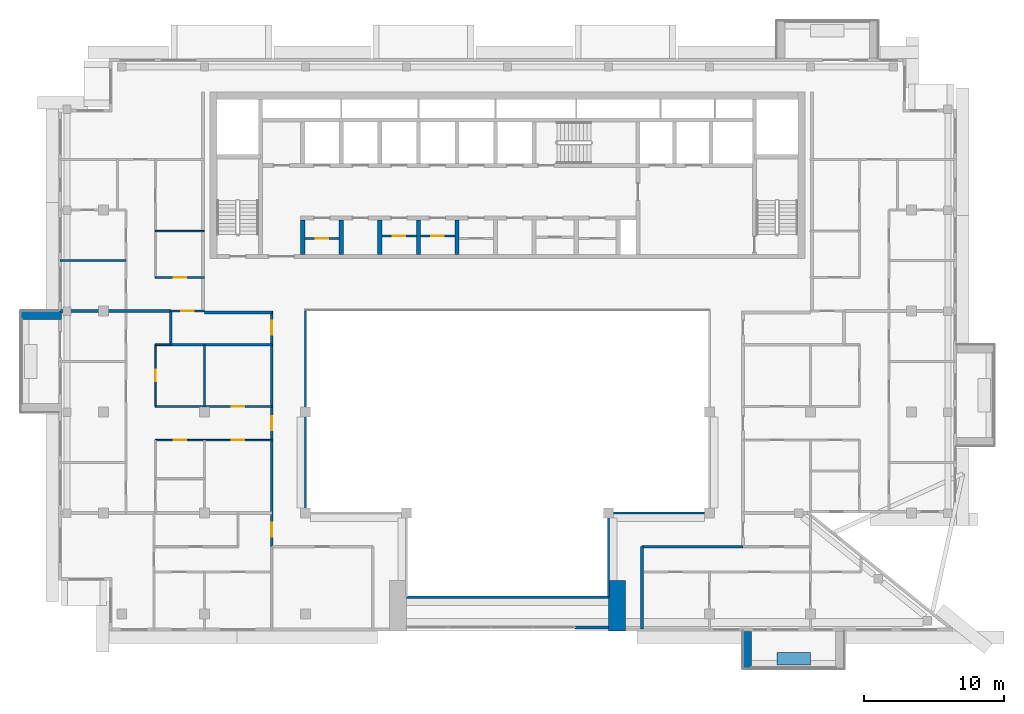
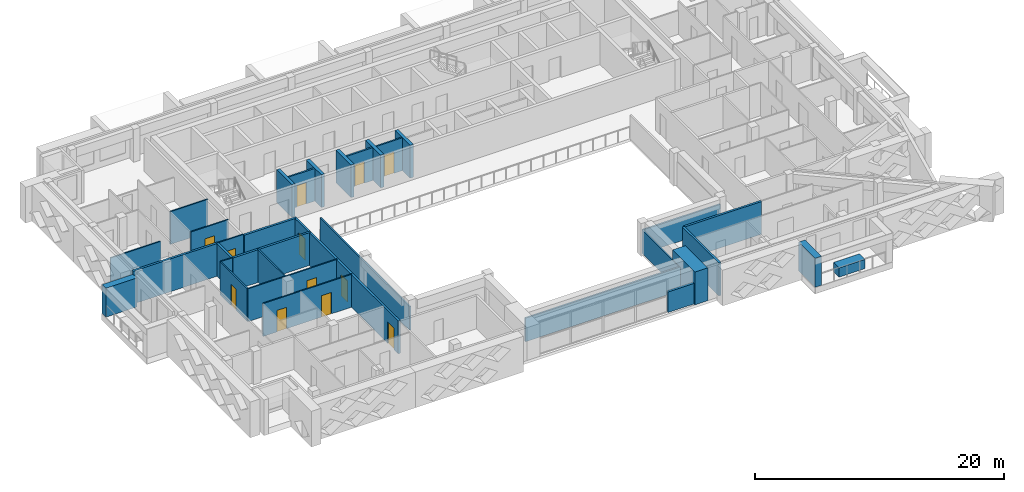
# One storey, part 7 of 19: 33 walls, 12 doors, 12 openings.
"""IFC4 building model written with IfcOpenShell, lengths in metres."""

from ifc_helpers import new_model, si_unit, direction, frame, frame_2d, origin, place, context, subcontext, project, spatial, rectangle, extrude, material, layer, layer_set, type_object, element, fill, save


model = new_model("IFC4")

# Units and contexts
model_context = context("Model", 3, precision=1e-05, world=origin(), true_north=direction((0.0, 1.0)))
body_context = subcontext(model_context, "Body", "Model", "MODEL_VIEW")
ifc_project = project(units=[si_unit("LENGTHUNIT", "METRE"), si_unit("AREAUNIT", "SQUARE_METRE"), si_unit("VOLUMEUNIT", "CUBIC_METRE"), si_unit("PLANEANGLEUNIT", "RADIAN"), si_unit("MASSUNIT", "GRAM", prefix="KILO")], contexts=[model_context])

# Site, building, storey
site_placement = place(None, origin())
site = spatial("IfcSite", under=ifc_project, at=site_placement, CompositionType="ELEMENT")
building_placement = place(site_placement, origin())
building = spatial("IfcBuilding", under=site, at=building_placement, Name="Saffron Iwan Residences", CompositionType="ELEMENT")
storey_placement = place(building_placement, frame((0.0, 0.0, 264.0)))
storey = spatial("IfcBuildingStorey", under=building, at=storey_placement, Name="L71", CompositionType="ELEMENT", Elevation=264.0)

# Walls
ifc_material_1 = material(Name="Fire-rated glazing", Category="glass")
ifc_layer_1 = layer(ifc_material_1, 0.14990234375)
ifc_layer_set_1 = layer_set([ifc_layer_1], Name="Fire-rated glazing")
wall_type_1 = type_object("IfcWallType", Name="Atrium glazed screen 150", PredefinedType="SOLIDWALL", material=ifc_layer_set_1)
wall_1_placement = place(storey_placement, frame((43.199951171875, 42.0, 0.0), z_axis=(0.0, 0.0, 1.0), x_axis=(1.0, 0.0, 0.0)))
element("IfcWall", 1, at=wall_1_placement, inside=storey, type_object=wall_type_1, Name="W-L71-SCREEN-h42-43.2", PredefinedType="SOLIDWALL", context=body_context, shape_type="SweptSolid", body=[
    extrude(rectangle(XDim=14.400146484375, YDim=0.14990234375, at=frame_2d((7.2001953125, 0.0))), origin(), (0.0, 0.0, 1.0), 2.320068359375),
])
wall_2_placement = place(storey_placement, frame((57.60009765625, 48.0, 0.0), z_axis=(0.0, 0.0, 1.0), x_axis=(1.0, 0.0, 0.0)))
element("IfcWall", 2, at=wall_2_placement, inside=storey, type_object=wall_type_1, Name="W-L71-SCREEN-h48-57.6", PredefinedType="SOLIDWALL", context=body_context, shape_type="SweptSolid", body=[
    extrude(rectangle(XDim=7.199951171875, YDim=0.14990234375, at=frame_2d((3.60009765625, 0.0))), origin(), (0.0, 0.0, 1.0), 2.320068359375),
])
wall_3_placement = place(storey_placement, frame((36.0, 48.0, 0.0), z_axis=(0.0, 0.0, 1.0), x_axis=(0.0, 1.0, 0.0)))
element("IfcWall", 3, at=wall_3_placement, inside=storey, type_object=wall_type_1, Name="W-L71-SCREEN-v36-48", PredefinedType="SOLIDWALL", context=body_context, shape_type="SweptSolid", body=[
    extrude(rectangle(XDim=14.39990234375, YDim=0.14990234375, at=frame_2d((7.199951171875, 0.0))), origin(), (0.0, 0.0, 1.0), 2.320068359375),
])
wall_4_placement = place(storey_placement, frame((57.60009765625, 42.0, 0.0), z_axis=(0.0, 0.0, 1.0), x_axis=(0.0, 1.0, 0.0)))
element("IfcWall", 4, at=wall_4_placement, inside=storey, type_object=wall_type_1, Name="W-L71-SCREEN-v57.6-42", PredefinedType="SOLIDWALL", context=body_context, shape_type="SweptSolid", body=[
    extrude(rectangle(XDim=6.0, YDim=0.14990234375, at=frame_2d((3.0, 0.0))), origin(), (0.0, 0.0, 1.0), 2.320068359375),
])
ifc_material_2 = material(Name="Concrete C50/60 white painted", Category="concrete")
ifc_layer_2 = layer(ifc_material_2, 0.60009765625)
ifc_layer_set_2 = layer_set([ifc_layer_2], Name="Concrete C50/60 white painted")
wall_type_2 = type_object("IfcWallType", Name="BALCONY FIN 600", PredefinedType="SOLIDWALL", material=ifc_layer_set_2)
wall_5_placement = place(storey_placement, frame((18.60009765625, 62.10009765625, 0.0), z_axis=(0.0, 0.0, 1.0), x_axis=(-1.0, 0.0, 0.0)))
element("IfcWall", 5, at=wall_5_placement, inside=storey, type_object=wall_type_2, Name="Balcony fin L71 F8-0a", PredefinedType="SOLIDWALL", context=body_context, shape_type="SweptSolid", body=[
    extrude(rectangle(XDim=2.900146484375, YDim=0.60009765625, at=frame_2d((1.4501953125, 0.0))), origin(), (0.0, 0.0, 1.0), 2.85009765625),
])
wall_6_placement = place(storey_placement, frame((67.5, 39.550048828125, 0.0), z_axis=(0.0, 0.0, 1.0), x_axis=(0.0, -1.0, 0.0)))
element("IfcWall", 6, at=wall_6_placement, inside=storey, type_object=wall_type_2, Name="Balcony fin L71 11-1a", PredefinedType="SOLIDWALL", context=body_context, shape_type="SweptSolid", body=[
    extrude(rectangle(XDim=2.650146484375, YDim=0.60009765625, at=frame_2d((1.3251953125, 0.0))), origin(), (0.0, 0.0, 1.0), 2.85009765625),
])
ifc_material_3 = material(Name="Concrete C35/45 white painted", Category="concrete")
ifc_layer_3 = layer(ifc_material_3, 0.14990234375)
ifc_layer_set_3 = layer_set([ifc_layer_3], Name="Concrete C35/45 white painted")
wall_type_3 = type_object("IfcWallType", Name="BALCONY PLANTER", PredefinedType="SOLIDWALL", material=ifc_layer_set_3)
wall_7_placement = place(storey_placement, frame((69.60009765625, 37.625, 0.0), z_axis=(0.0, 0.0, 1.0), x_axis=(1.0, 0.0, 0.0)))
element("IfcWall", 7, at=wall_7_placement, inside=storey, type_object=wall_type_3, Name="PLANTER L71 11-1", PredefinedType="SOLIDWALL", context=body_context, shape_type="SweptSolid", body=[
    extrude(rectangle(XDim=2.39990234375, YDim=0.89990234375, at=frame_2d((1.199951171875, 0.0))), origin(), (0.0, 0.0, 1.0), 0.89990234375),
])

# Wall, opening, door
ifc_material_4 = material(Name="Fire-rated plasterboard partition")
ifc_layer_4 = layer(ifc_material_4, 0.14990234375)
ifc_layer_set_4 = layer_set([ifc_layer_4], Name="Fire-rated plasterboard partition")
wall_type_4 = type_object("IfcWallType", Name="Core partition 150", PredefinedType="PARTITIONING", material=ifc_layer_set_4)
wall_8_placement = place(storey_placement, frame((35.949951171875, 67.5654296875, 0.0), z_axis=(0.0, 0.0, 1.0), x_axis=(1.0, 0.0, 0.0)))
wall_8 = element("IfcWall", 8, at=wall_8_placement, inside=storey, type_object=wall_type_4, Name="Core partition P01", PredefinedType="PARTITIONING", context=body_context, shape_type="SweptSolid", body=[
    extrude(rectangle(XDim=2.449951171875, YDim=0.14990234375, at=frame_2d((1.22509765625, 0.0))), origin(), (0.0, 0.0, 1.0), 3.219970703125),
])
opening_1_placement = place(wall_8_placement, frame((0.77490234375, 0.0, 0.0)))
opening_1 = element("IfcOpeningElement", 9, at=opening_1_placement, cuts=wall_8, Name="Opening SB", PredefinedType="OPENING", context=body_context, shape_type="SweptSolid", body=[
    extrude(rectangle(XDim=0.89990234375, YDim=2.10009765625, at=frame_2d((0.449951171875, 1.050048828125))), frame((0.0, 0.0849609375, 0.0), z_axis=(0.0, -1.0, 0.0), x_axis=(1.0, 0.0, 0.0)), (0.0, 0.0, 1.0), 0.169921875),
])
ifc_material_5 = material(Name="Steel fire door", Category="steel")
door_type_1 = type_object("IfcDoorType", Name="Store door 900", OperationType="NOTDEFINED", PredefinedType="DOOR", material=ifc_material_5)
door_1_placement = place(opening_1_placement, origin())
door_1 = element("IfcDoor", 10, at=door_1_placement, inside=storey, type_object=door_type_1, Name="Door Equipment store", OperationType="SINGLE_SWING_RIGHT", OverallHeight=2.10009765625, OverallWidth=0.89990234375, PredefinedType="DOOR", context=body_context, shape_type="SweptSolid", body=[
    extrude(rectangle(XDim=0.89990234375, YDim=2.10009765625, at=frame_2d((0.449951171875, 1.050048828125))), frame((0.0, 0.02490234375, 0.0), z_axis=(0.0, -1.0, 0.0), x_axis=(1.0, 0.0, 0.0)), (0.0, 0.0, 1.0), 0.050048828125),
])
fill(opening_1, door_1)

wall_9_placement = place(storey_placement, frame((41.449951171875, 67.759521484375, 0.0), z_axis=(0.0, 0.0, 1.0), x_axis=(1.0, 0.0, 0.0)))
wall_9 = element("IfcWall", 11, at=wall_9_placement, inside=storey, type_object=wall_type_4, Name="Core partition P02", PredefinedType="PARTITIONING", context=body_context, shape_type="SweptSolid", body=[
    extrude(rectangle(XDim=2.449951171875, YDim=0.14990234375, at=frame_2d((1.22509765625, 0.0))), origin(), (0.0, 0.0, 1.0), 3.219970703125),
])
opening_2_placement = place(wall_9_placement, frame((0.77490234375, 0.0, 0.0)))
opening_2 = element("IfcOpeningElement", 12, at=opening_2_placement, cuts=wall_9, Name="Opening SB", PredefinedType="OPENING", context=body_context, shape_type="SweptSolid", body=[
    extrude(rectangle(XDim=0.89990234375, YDim=2.10009765625, at=frame_2d((0.449951171875, 1.050048828125))), frame((0.0, 0.0849609375, 0.0), z_axis=(0.0, -1.0, 0.0), x_axis=(1.0, 0.0, 0.0)), (0.0, 0.0, 1.0), 0.169921875),
])
door_2_placement = place(opening_2_placement, origin())
door_2 = element("IfcDoor", 13, at=door_2_placement, inside=storey, type_object=door_type_1, Name="Door Spares store", OperationType="SINGLE_SWING_LEFT", OverallHeight=2.10009765625, OverallWidth=0.89990234375, PredefinedType="DOOR", context=body_context, shape_type="SweptSolid", body=[
    extrude(rectangle(XDim=0.89990234375, YDim=2.10009765625, at=frame_2d((0.449951171875, 1.050048828125))), frame((0.0, 0.02490234375, 0.0), z_axis=(0.0, -1.0, 0.0), x_axis=(1.0, 0.0, 0.0)), (0.0, 0.0, 1.0), 0.050048828125),
])
fill(opening_2, door_2)

wall_10_placement = place(storey_placement, frame((44.199951171875, 67.759521484375, 0.0), z_axis=(0.0, 0.0, 1.0), x_axis=(1.0, 0.0, 0.0)))
wall_10 = element("IfcWall", 14, at=wall_10_placement, inside=storey, type_object=wall_type_4, Name="Core partition P03", PredefinedType="PARTITIONING", context=body_context, shape_type="SweptSolid", body=[
    extrude(rectangle(XDim=2.449951171875, YDim=0.14990234375, at=frame_2d((1.22509765625, 0.0))), origin(), (0.0, 0.0, 1.0), 3.219970703125),
])
opening_3_placement = place(wall_10_placement, frame((0.77490234375, 0.0, 0.0)))
opening_3 = element("IfcOpeningElement", 15, at=opening_3_placement, cuts=wall_10, Name="Opening SB", PredefinedType="OPENING", context=body_context, shape_type="SweptSolid", body=[
    extrude(rectangle(XDim=0.89990234375, YDim=2.10009765625, at=frame_2d((0.449951171875, 1.050048828125))), frame((0.0, 0.0849609375, 0.0), z_axis=(0.0, -1.0, 0.0), x_axis=(1.0, 0.0, 0.0)), (0.0, 0.0, 1.0), 0.169921875),
])
door_3_placement = place(opening_3_placement, origin())
door_3 = element("IfcDoor", 16, at=door_3_placement, inside=storey, type_object=door_type_1, Name="Door Battery room", OperationType="SINGLE_SWING_RIGHT", OverallHeight=2.10009765625, OverallWidth=0.89990234375, PredefinedType="DOOR", context=body_context, shape_type="SweptSolid", body=[
    extrude(rectangle(XDim=0.89990234375, YDim=2.10009765625, at=frame_2d((0.449951171875, 1.050048828125))), frame((0.0, 0.02490234375, 0.0), z_axis=(0.0, -1.0, 0.0), x_axis=(1.0, 0.0, 0.0)), (0.0, 0.0, 1.0), 0.050048828125),
])
fill(opening_3, door_3)

# Walls
ifc_material_6 = material(Name="Concrete C40/50", Category="concrete")
ifc_layer_5 = layer(ifc_material_6, 0.199951171875)
ifc_layer_set_5 = layer_set([ifc_layer_5], Name="Concrete C40/50")
wall_type_5 = type_object("IfcWallType", Name="EXTERNAL WALL 200", PredefinedType="SOLIDWALL", material=ifc_layer_set_5)
wall_11_placement = place(storey_placement, frame((55.199951171875, 39.85009765625, 0.0), z_axis=(0.0, 0.0, 1.0), x_axis=(1.0, 0.0, 0.0)))
element("IfcWall", 17, at=wall_11_placement, inside=storey, type_object=wall_type_5, Name="External wall infill CWB-L71-0", PredefinedType="SOLIDWALL", context=body_context, shape_type="SweptSolid", body=[
    extrude(rectangle(XDim=2.400146484375, YDim=0.199951171875, at=frame_2d((1.2001953125, 0.0))), origin(), (0.0, 0.0, 1.0), 2.02001953125),
])
ifc_material_7 = material(Name="Fire-rated gypsum board wall")
ifc_layer_6 = layer(ifc_material_7, 0.199951171875)
ifc_layer_set_6 = layer_set([ifc_layer_6], Name="Fire-rated gypsum board wall")
wall_type_6 = type_object("IfcWallType", Name="Flat demising wall 200", PredefinedType="SOLIDWALL", material=ifc_layer_set_6)
wall_12_placement = place(storey_placement, frame((26.39990234375, 60.0, 0.0), z_axis=(0.0, 0.0, 1.0), x_axis=(1.0, 0.0, 0.0)))
element("IfcWall", 18, at=wall_12_placement, inside=storey, type_object=wall_type_6, Name="W-L71-DEMISE-h60-26.4", PredefinedType="SOLIDWALL", context=body_context, shape_type="SweptSolid", body=[
    extrude(rectangle(XDim=7.2001953125, YDim=0.199951171875, at=frame_2d((3.60009765625, 0.0))), origin(), (0.0, 0.0, 1.0), 3.219970703125),
])
wall_13_placement = place(storey_placement, frame((18.52490234375, 62.39990234375, 0.0), z_axis=(0.0, 0.0, 1.0), x_axis=(1.0, 0.0, 0.0)))
element("IfcWall", 19, at=wall_13_placement, inside=storey, type_object=wall_type_6, Name="W-L71-DEMISE-h62.4-18.525", PredefinedType="SOLIDWALL", context=body_context, shape_type="SweptSolid", body=[
    extrude(rectangle(XDim=7.875, YDim=0.199951171875, at=frame_2d((3.9375, 0.0))), origin(), (0.0, 0.0, 1.0), 3.219970703125),
])
wall_14_placement = place(storey_placement, frame((26.39990234375, 60.0, 0.0), z_axis=(0.0, 0.0, 1.0), x_axis=(0.0, 1.0, 0.0)))
element("IfcWall", 20, at=wall_14_placement, inside=storey, type_object=wall_type_6, Name="W-L71-DEMISE-v26.4-60", PredefinedType="SOLIDWALL", context=body_context, shape_type="SweptSolid", body=[
    extrude(rectangle(XDim=2.39990234375, YDim=0.199951171875, at=frame_2d((1.199951171875, 0.0))), origin(), (0.0, 0.0, 1.0), 3.219970703125),
])

# Wall, openings, doors
ifc_material_8 = material(Name="Gypsum board partition")
ifc_layer_7 = layer(ifc_material_8, 0.1201171875)
ifc_layer_set_7 = layer_set([ifc_layer_7], Name="Gypsum board partition")
wall_type_7 = type_object("IfcWallType", Name="Flat partition 120", PredefinedType="PARTITIONING", material=ifc_layer_set_7)
wall_15_placement = place(storey_placement, frame((25.300048828125, 53.199951171875, 0.0), z_axis=(0.0, 0.0, 1.0), x_axis=(1.0, 0.0, 0.0)))
wall_15 = element("IfcWall", 21, at=wall_15_placement, inside=storey, type_object=wall_type_7, Name="W-L71-PART-h53.2-25.3", PredefinedType="PARTITIONING", context=body_context, shape_type="SweptSolid", body=[
    extrude(rectangle(XDim=8.300048828125, YDim=0.1201171875, at=frame_2d((4.14990234375, 0.0))), origin(), (0.0, 0.0, 1.0), 3.219970703125),
])
opening_4_placement = place(wall_15_placement, frame((1.300048828125, 0.0, 0.0)))
opening_4 = element("IfcOpeningElement", 22, at=opening_4_placement, cuts=wall_15, Name="Opening FD2", PredefinedType="OPENING", context=body_context, shape_type="SweptSolid", body=[
    extrude(rectangle(XDim=0.89990234375, YDim=2.10009765625, at=frame_2d((0.449951171875, 1.050048828125))), frame((0.0, 0.070068359375, 0.0), z_axis=(0.0, -1.0, 0.0), x_axis=(1.0, 0.0, 0.0)), (0.0, 0.0, 1.0), 0.14013671875),
])
opening_5_placement = place(wall_15_placement, frame((5.449951171875, 0.0, 0.0)))
opening_5 = element("IfcOpeningElement", 23, at=opening_5_placement, cuts=wall_15, Name="Opening FD2", PredefinedType="OPENING", context=body_context, shape_type="SweptSolid", body=[
    extrude(rectangle(XDim=0.89990234375, YDim=2.10009765625, at=frame_2d((0.449951171875, 1.050048828125))), frame((0.0, 0.070068359375, 0.0), z_axis=(0.0, -1.0, 0.0), x_axis=(1.0, 0.0, 0.0)), (0.0, 0.0, 1.0), 0.14013671875),
])
ifc_material_9 = material(Name="Timber door", Category="wood")
door_type_2 = type_object("IfcDoorType", Name="Flat door 900", OperationType="NOTDEFINED", PredefinedType="DOOR", material=ifc_material_9)
door_4_placement = place(opening_4_placement, origin())
door_4 = element("IfcDoor", 24, at=door_4_placement, inside=storey, type_object=door_type_2, Name="Door L71-012", OperationType="SINGLE_SWING_LEFT", OverallHeight=2.10009765625, OverallWidth=0.89990234375, PredefinedType="DOOR", context=body_context, shape_type="SweptSolid", body=[
    extrude(rectangle(XDim=0.89990234375, YDim=2.10009765625, at=frame_2d((0.449951171875, 1.050048828125))), frame((0.0, 0.02490234375, 0.0), z_axis=(0.0, -1.0, 0.0), x_axis=(1.0, 0.0, 0.0)), (0.0, 0.0, 1.0), 0.050048828125),
])
fill(opening_4, door_4)
door_5_placement = place(opening_5_placement, origin())
door_5 = element("IfcDoor", 25, at=door_5_placement, inside=storey, type_object=door_type_2, Name="Door L71-014", OperationType="SINGLE_SWING_RIGHT", OverallHeight=2.10009765625, OverallWidth=0.89990234375, PredefinedType="DOOR", context=body_context, shape_type="SweptSolid", body=[
    extrude(rectangle(XDim=0.89990234375, YDim=2.10009765625, at=frame_2d((0.449951171875, 1.050048828125))), frame((0.0, 0.02490234375, 0.0), z_axis=(0.0, -1.0, 0.0), x_axis=(1.0, 0.0, 0.0)), (0.0, 0.0, 1.0), 0.050048828125),
])
fill(opening_5, door_5)

# Wall, opening, door
wall_16_placement = place(storey_placement, frame((25.300048828125, 55.60009765625, 0.0), z_axis=(0.0, 0.0, 1.0), x_axis=(1.0, 0.0, 0.0)))
wall_16 = element("IfcWall", 26, at=wall_16_placement, inside=storey, type_object=wall_type_7, Name="W-L71-PART-h55.6-25.3", PredefinedType="PARTITIONING", context=body_context, shape_type="SweptSolid", body=[
    extrude(rectangle(XDim=8.300048828125, YDim=0.1201171875, at=frame_2d((4.14990234375, 0.0))), origin(), (0.0, 0.0, 1.0), 3.219970703125),
])
opening_6_placement = place(wall_16_placement, frame((5.449951171875, 0.0, 0.0)))
opening_6 = element("IfcOpeningElement", 27, at=opening_6_placement, cuts=wall_16, Name="Opening FD2", PredefinedType="OPENING", context=body_context, shape_type="SweptSolid", body=[
    extrude(rectangle(XDim=0.89990234375, YDim=2.10009765625, at=frame_2d((0.449951171875, 1.050048828125))), frame((0.0, 0.070068359375, 0.0), z_axis=(0.0, -1.0, 0.0), x_axis=(1.0, 0.0, 0.0)), (0.0, 0.0, 1.0), 0.14013671875),
])
door_6_placement = place(opening_6_placement, origin())
door_6 = element("IfcDoor", 28, at=door_6_placement, inside=storey, type_object=door_type_2, Name="Door L71-015", OperationType="SINGLE_SWING_LEFT", OverallHeight=2.10009765625, OverallWidth=0.89990234375, PredefinedType="DOOR", context=body_context, shape_type="SweptSolid", body=[
    extrude(rectangle(XDim=0.89990234375, YDim=2.10009765625, at=frame_2d((0.449951171875, 1.050048828125))), frame((0.0, 0.02490234375, 0.0), z_axis=(0.0, -1.0, 0.0), x_axis=(1.0, 0.0, 0.0)), (0.0, 0.0, 1.0), 0.050048828125),
])
fill(opening_6, door_6)

# Wall
wall_17_placement = place(storey_placement, frame((25.300048828125, 60.0, 0.0), z_axis=(0.0, 0.0, 1.0), x_axis=(1.0, 0.0, 0.0)))
element("IfcWall", 29, at=wall_17_placement, inside=storey, type_object=wall_type_7, Name="W-L71-PART-h60-25.3", PredefinedType="PARTITIONING", context=body_context, shape_type="SweptSolid", body=[
    extrude(rectangle(XDim=1.099853515625, YDim=0.1201171875, at=frame_2d((0.5498046875, 0.0))), origin(), (0.0, 0.0, 1.0), 3.219970703125),
])

# Wall, opening, door
wall_18_placement = place(storey_placement, frame((26.39990234375, 62.39990234375, 0.0), z_axis=(0.0, 0.0, 1.0), x_axis=(1.0, 0.0, 0.0)))
wall_18 = element("IfcWall", 30, at=wall_18_placement, inside=storey, type_object=wall_type_7, Name="W-L71-PART-h62.4-26.4", PredefinedType="PARTITIONING", context=body_context, shape_type="SweptSolid", body=[
    extrude(rectangle(XDim=2.400146484375, YDim=0.1201171875, at=frame_2d((1.2001953125, 0.0))), origin(), (0.0, 0.0, 1.0), 3.219970703125),
])
opening_7_placement = place(wall_18_placement, frame((0.75, 0.0, 0.0)))
opening_7 = element("IfcOpeningElement", 31, at=opening_7_placement, cuts=wall_18, Name="Opening FD2", PredefinedType="OPENING", context=body_context, shape_type="SweptSolid", body=[
    extrude(rectangle(XDim=0.89990234375, YDim=2.10009765625, at=frame_2d((0.449951171875, 1.050048828125))), frame((0.0, 0.070068359375, 0.0), z_axis=(0.0, -1.0, 0.0), x_axis=(1.0, 0.0, 0.0)), (0.0, 0.0, 1.0), 0.14013671875),
])
door_7_placement = place(opening_7_placement, origin())
door_7 = element("IfcDoor", 32, at=door_7_placement, inside=storey, type_object=door_type_2, Name="Door L71-025", OperationType="SINGLE_SWING_LEFT", OverallHeight=2.10009765625, OverallWidth=0.89990234375, PredefinedType="DOOR", context=body_context, shape_type="SweptSolid", body=[
    extrude(rectangle(XDim=0.89990234375, YDim=2.10009765625, at=frame_2d((0.449951171875, 1.050048828125))), frame((0.0, 0.02490234375, 0.0), z_axis=(0.0, -1.0, 0.0), x_axis=(1.0, 0.0, 0.0)), (0.0, 0.0, 1.0), 0.050048828125),
])
fill(opening_7, door_7)

wall_19_placement = place(storey_placement, frame((25.300048828125, 64.800048828125, 0.0), z_axis=(0.0, 0.0, 1.0), x_axis=(1.0, 0.0, 0.0)))
wall_19 = element("IfcWall", 33, at=wall_19_placement, inside=storey, type_object=wall_type_7, Name="W-L71-PART-h64.8-25.3", PredefinedType="PARTITIONING", context=body_context, shape_type="SweptSolid", body=[
    extrude(rectangle(XDim=3.5, YDim=0.1201171875, at=frame_2d((1.75, 0.0))), origin(), (0.0, 0.0, 1.0), 3.219970703125),
])
opening_8_placement = place(wall_19_placement, frame((1.300048828125, 0.0, 0.0)))
opening_8 = element("IfcOpeningElement", 34, at=opening_8_placement, cuts=wall_19, Name="Opening FD2", PredefinedType="OPENING", context=body_context, shape_type="SweptSolid", body=[
    extrude(rectangle(XDim=0.89990234375, YDim=2.10009765625, at=frame_2d((0.449951171875, 1.050048828125))), frame((0.0, 0.070068359375, 0.0), z_axis=(0.0, -1.0, 0.0), x_axis=(1.0, 0.0, 0.0)), (0.0, 0.0, 1.0), 0.14013671875),
])
door_8_placement = place(opening_8_placement, origin())
door_8 = element("IfcDoor", 35, at=door_8_placement, inside=storey, type_object=door_type_2, Name="Door L71-031", OperationType="SINGLE_SWING_LEFT", OverallHeight=2.10009765625, OverallWidth=0.89990234375, PredefinedType="DOOR", context=body_context, shape_type="SweptSolid", body=[
    extrude(rectangle(XDim=0.89990234375, YDim=2.10009765625, at=frame_2d((0.449951171875, 1.050048828125))), frame((0.0, 0.02490234375, 0.0), z_axis=(0.0, -1.0, 0.0), x_axis=(1.0, 0.0, 0.0)), (0.0, 0.0, 1.0), 0.050048828125),
])
fill(opening_8, door_8)

# Walls
wall_20_placement = place(storey_placement, frame((18.52490234375, 66.0, 0.0), z_axis=(0.0, 0.0, 1.0), x_axis=(1.0, 0.0, 0.0)))
element("IfcWall", 36, at=wall_20_placement, inside=storey, type_object=wall_type_7, Name="W-L71-PART-h66-18.525", PredefinedType="PARTITIONING", context=body_context, shape_type="SweptSolid", body=[
    extrude(rectangle(XDim=4.675048828125, YDim=0.1201171875, at=frame_2d((2.33740234375, 0.0))), origin(), (0.0, 0.0, 1.0), 2.320068359375),
])
wall_21_placement = place(storey_placement, frame((25.300048828125, 68.10009765625, 0.0), z_axis=(0.0, 0.0, 1.0), x_axis=(1.0, 0.0, 0.0)))
element("IfcWall", 37, at=wall_21_placement, inside=storey, type_object=wall_type_7, Name="W-L71-PART-h68.1-25.3", PredefinedType="PARTITIONING", context=body_context, shape_type="SweptSolid", body=[
    extrude(rectangle(XDim=3.5, YDim=0.1201171875, at=frame_2d((1.75, 0.0))), origin(), (0.0, 0.0, 1.0), 3.219970703125),
])

# Wall, opening, door
wall_22_placement = place(storey_placement, frame((25.300048828125, 55.60009765625, 0.0), z_axis=(0.0, 0.0, 1.0), x_axis=(0.0, 1.0, 0.0)))
wall_22 = element("IfcWall", 38, at=wall_22_placement, inside=storey, type_object=wall_type_7, Name="W-L71-PART-v25.3-55.6", PredefinedType="PARTITIONING", context=body_context, shape_type="SweptSolid", body=[
    extrude(rectangle(XDim=4.39990234375, YDim=0.1201171875, at=frame_2d((2.199951171875, 0.0))), origin(), (0.0, 0.0, 1.0), 3.219970703125),
])
opening_9_placement = place(wall_22_placement, frame((1.800048828125, 0.0, 0.0)))
opening_9 = element("IfcOpeningElement", 39, at=opening_9_placement, cuts=wall_22, Name="Opening FD3", PredefinedType="OPENING", context=body_context, shape_type="SweptSolid", body=[
    extrude(rectangle(XDim=0.800048828125, YDim=2.10009765625, at=frame_2d((0.39990234375, 1.050048828125))), frame((0.0, 0.070068359375, 0.0), z_axis=(0.0, -1.0, 0.0), x_axis=(1.0, 0.0, 0.0)), (0.0, 0.0, 1.0), 0.14013671875),
])
door_type_3 = type_object("IfcDoorType", Name="Bathroom door 800", OperationType="NOTDEFINED", PredefinedType="DOOR", material=ifc_material_9)
door_9_placement = place(opening_9_placement, origin())
door_9 = element("IfcDoor", 40, at=door_9_placement, inside=storey, type_object=door_type_3, Name="Door L71-013", OperationType="SINGLE_SWING_LEFT", OverallHeight=2.10009765625, OverallWidth=0.800048828125, PredefinedType="DOOR", context=body_context, shape_type="SweptSolid", body=[
    extrude(rectangle(XDim=0.800048828125, YDim=2.10009765625, at=frame_2d((0.39990234375, 1.050048828125))), frame((0.0, 0.02490234375, 0.0), z_axis=(0.0, -1.0, 0.0), x_axis=(1.0, 0.0, 0.0)), (0.0, 0.0, 1.0), 0.050048828125),
])
fill(opening_9, door_9)

# Walls
wall_23_placement = place(storey_placement, frame((28.800048828125, 55.60009765625, 0.0), z_axis=(0.0, 0.0, 1.0), x_axis=(0.0, 1.0, 0.0)))
element("IfcWall", 41, at=wall_23_placement, inside=storey, type_object=wall_type_7, Name="W-L71-PART-v28.8-55.6", PredefinedType="PARTITIONING", context=body_context, shape_type="SweptSolid", body=[
    extrude(rectangle(XDim=4.39990234375, YDim=0.1201171875, at=frame_2d((2.199951171875, 0.0))), origin(), (0.0, 0.0, 1.0), 3.219970703125),
])
ifc_layer_8 = layer(ifc_material_7, 0.199951171875)
ifc_layer_set_8 = layer_set([ifc_layer_8], Name="Fire-rated gypsum board wall")
wall_type_8 = type_object("IfcWallType", Name="Gallery wall 200", PredefinedType="SOLIDWALL", material=ifc_layer_set_8)
wall_24_placement = place(storey_placement, frame((60.0, 45.60009765625, 0.0), z_axis=(0.0, 0.0, 1.0), x_axis=(1.0, 0.0, 0.0)))
element("IfcWall", 42, at=wall_24_placement, inside=storey, type_object=wall_type_8, Name="W-L71-CORR-h45.6-60", PredefinedType="SOLIDWALL", context=body_context, shape_type="SweptSolid", body=[
    extrude(rectangle(XDim=7.199951171875, YDim=0.199951171875, at=frame_2d((3.60009765625, 0.0))), origin(), (0.0, 0.0, 1.0), 3.219970703125),
])
wall_25_placement = place(storey_placement, frame((28.800048828125, 62.300048828125, 0.0), z_axis=(0.0, 0.0, 1.0), x_axis=(1.0, 0.0, 0.0)))
element("IfcWall", 43, at=wall_25_placement, inside=storey, type_object=wall_type_8, Name="W-L71-CORR-h62.4-28.8", PredefinedType="SOLIDWALL", context=body_context, shape_type="SweptSolid", body=[
    extrude(rectangle(XDim=4.800048828125, YDim=0.199951171875, at=frame_2d((2.39990234375, 0.0))), origin(), (0.0, 0.0, 1.0), 3.219970703125),
])

# Wall, openings, doors
wall_26_placement = place(storey_placement, frame((33.60009765625, 45.60009765625, 0.0), z_axis=(0.0, 0.0, 1.0), x_axis=(0.0, 1.0, 0.0)))
wall_26 = element("IfcWall", 44, at=wall_26_placement, inside=storey, type_object=wall_type_8, Name="W-L71-CORR-v33.6-45.6", PredefinedType="SOLIDWALL", context=body_context, shape_type="SweptSolid", body=[
    extrude(rectangle(XDim=16.7998046875, YDim=0.199951171875, at=frame_2d((8.39990234375, 0.0))), origin(), (0.0, 0.0, 1.0), 3.219970703125),
])
opening_10_placement = place(wall_26_placement, frame((0.699951171875, 0.0, 0.0)))
opening_10 = element("IfcOpeningElement", 45, at=opening_10_placement, cuts=wall_26, Name="Opening FD1", PredefinedType="OPENING", context=body_context, shape_type="SweptSolid", body=[
    extrude(rectangle(XDim=1.0, YDim=2.10009765625, at=frame_2d((0.5, 1.050048828125))), frame((0.0, 0.10986328125, 0.0), z_axis=(0.0, -1.0, 0.0), x_axis=(1.0, 0.0, 0.0)), (0.0, 0.0, 1.0), 0.219970703125),
])
opening_11_placement = place(wall_26_placement, frame((8.300048828125, 0.0, 0.0)))
opening_11 = element("IfcOpeningElement", 46, at=opening_11_placement, cuts=wall_26, Name="Opening FD1", PredefinedType="OPENING", context=body_context, shape_type="SweptSolid", body=[
    extrude(rectangle(XDim=1.0, YDim=2.10009765625, at=frame_2d((0.5, 1.050048828125))), frame((0.0, 0.10986328125, 0.0), z_axis=(0.0, -1.0, 0.0), x_axis=(1.0, 0.0, 0.0)), (0.0, 0.0, 1.0), 0.219970703125),
])
opening_12_placement = place(wall_26_placement, frame((15.10009765625, 0.0, 0.0)))
opening_12 = element("IfcOpeningElement", 47, at=opening_12_placement, cuts=wall_26, Name="Opening FD5", PredefinedType="OPENING", context=body_context, shape_type="SweptSolid", body=[
    extrude(rectangle(XDim=1.0, YDim=2.10009765625, at=frame_2d((0.5, 1.050048828125))), frame((0.0, 0.10986328125, 0.0), z_axis=(0.0, -1.0, 0.0), x_axis=(1.0, 0.0, 0.0)), (0.0, 0.0, 1.0), 0.219970703125),
])
ifc_material_10 = material(Name="Fire-rated timber door", Category="wood")
door_type_4 = type_object("IfcDoorType", Name="FD30S flat entrance door 1000", OperationType="NOTDEFINED", PredefinedType="DOOR", material=ifc_material_10)
door_10_placement = place(opening_10_placement, origin())
door_10 = element("IfcDoor", 48, at=door_10_placement, inside=storey, type_object=door_type_4, Name="Door L71-001", OperationType="SINGLE_SWING_LEFT", OverallHeight=2.10009765625, OverallWidth=1.0, PredefinedType="DOOR", context=body_context, shape_type="SweptSolid", body=[
    extrude(rectangle(XDim=1.0, YDim=2.10009765625, at=frame_2d((0.5, 1.050048828125))), frame((0.0, 0.02490234375, 0.0), z_axis=(0.0, -1.0, 0.0), x_axis=(1.0, 0.0, 0.0)), (0.0, 0.0, 1.0), 0.050048828125),
])
fill(opening_10, door_10)
door_11_placement = place(opening_11_placement, origin())
door_11 = element("IfcDoor", 49, at=door_11_placement, inside=storey, type_object=door_type_4, Name="Door L71-007", OperationType="SINGLE_SWING_LEFT", OverallHeight=2.10009765625, OverallWidth=1.0, PredefinedType="DOOR", context=body_context, shape_type="SweptSolid", body=[
    extrude(rectangle(XDim=1.0, YDim=2.10009765625, at=frame_2d((0.5, 1.050048828125))), frame((0.0, 0.02490234375, 0.0), z_axis=(0.0, -1.0, 0.0), x_axis=(1.0, 0.0, 0.0)), (0.0, 0.0, 1.0), 0.050048828125),
])
fill(opening_11, door_11)
door_type_5 = type_object("IfcDoorType", Name="Lobby door 1000", OperationType="NOTDEFINED", PredefinedType="DOOR", material=ifc_material_10)
door_12_placement = place(opening_12_placement, origin())
door_12 = element("IfcDoor", 50, at=door_12_placement, inside=storey, type_object=door_type_5, Name="Door L71-026", OperationType="SINGLE_SWING_RIGHT", OverallHeight=2.10009765625, OverallWidth=1.0, PredefinedType="DOOR", context=body_context, shape_type="SweptSolid", body=[
    extrude(rectangle(XDim=1.0, YDim=2.10009765625, at=frame_2d((0.5, 1.050048828125))), frame((0.0, 0.02490234375, 0.0), z_axis=(0.0, -1.0, 0.0), x_axis=(1.0, 0.0, 0.0)), (0.0, 0.0, 1.0), 0.050048828125),
])
fill(opening_12, door_12)

# Walls
wall_27_placement = place(storey_placement, frame((60.0, 39.72509765625, 0.0), z_axis=(0.0, 0.0, 1.0), x_axis=(0.0, 1.0, 0.0)))
element("IfcWall", 51, at=wall_27_placement, inside=storey, type_object=wall_type_8, Name="W-L71-CORR-v60-39.725", PredefinedType="SOLIDWALL", context=body_context, shape_type="SweptSolid", body=[
    extrude(rectangle(XDim=5.875, YDim=0.199951171875, at=frame_2d((2.9375, 0.0))), origin(), (0.0, 0.0, 1.0), 3.219970703125),
])
ifc_layer_9 = layer(ifc_material_6, 0.300048828125)
ifc_layer_set_9 = layer_set([ifc_layer_9], Name="Concrete C40/50")
wall_type_9 = type_object("IfcWallType", Name="WALL CORE 300 C40/50 3220 HIGH", PredefinedType="SHEAR", material=ifc_layer_set_9)
for number, where, z_axis, x_axis, name in (
    (52, (35.800048828125, 66.449951171875, 0.0), (0.0, 0.0, 1.0), (0.0, 1.0, 0.0), "Core wall"),
    (53, (38.550048828125, 66.449951171875, 0.0), (0.0, 0.0, 1.0), (0.0, 1.0, 0.0), "Core wall"),
    (54, (41.300048828125, 66.449951171875, 0.0), (0.0, 0.0, 1.0), (0.0, 1.0, 0.0), "Core wall"),
    (55, (44.050048828125, 66.449951171875, 0.0), (0.0, 0.0, 1.0), (0.0, 1.0, 0.0), "Core wall"),
    (56, (46.800048828125, 66.449951171875, 0.0), (0.0, 0.0, 1.0), (0.0, 1.0, 0.0), "Core wall"),
):
    element("IfcWall", number, at=place(storey_placement, frame(where, z_axis=z_axis, x_axis=x_axis)), inside=storey, type_object=wall_type_9, Name=name, PredefinedType="SHEAR", context=body_context, shape_type="SweptSolid", body=[
        extrude(rectangle(XDim=2.425048828125, YDim=0.300048828125, at=frame_2d((1.21240234375, 0.0))), origin(), (0.0, 0.0, 1.0), 3.219970703125),
    ])
ifc_layer_10 = layer(ifc_material_6, 1.199951171875)
ifc_layer_set_10 = layer_set([ifc_layer_10], Name="Concrete C40/50")
wall_type_10 = type_object("IfcWallType", Name="WALL IWAN PIER 1200 C40/50 3220 HIGH", PredefinedType="SHEAR", material=ifc_layer_set_10)
wall_28_placement = place(storey_placement, frame((58.199951171875, 39.60009765625, 0.0), z_axis=(0.0, 0.0, 1.0), x_axis=(0.0, 1.0, 0.0)))
element("IfcWall", 57, at=wall_28_placement, inside=storey, type_object=wall_type_10, Name="IWAN PIER", PredefinedType="SHEAR", context=body_context, shape_type="SweptSolid", body=[
    extrude(rectangle(XDim=3.599853515625, YDim=1.199951171875, at=frame_2d((1.7998046875, 0.0))), origin(), (0.0, 0.0, 1.0), 3.219970703125),
])

save(model, "model.ifc")
